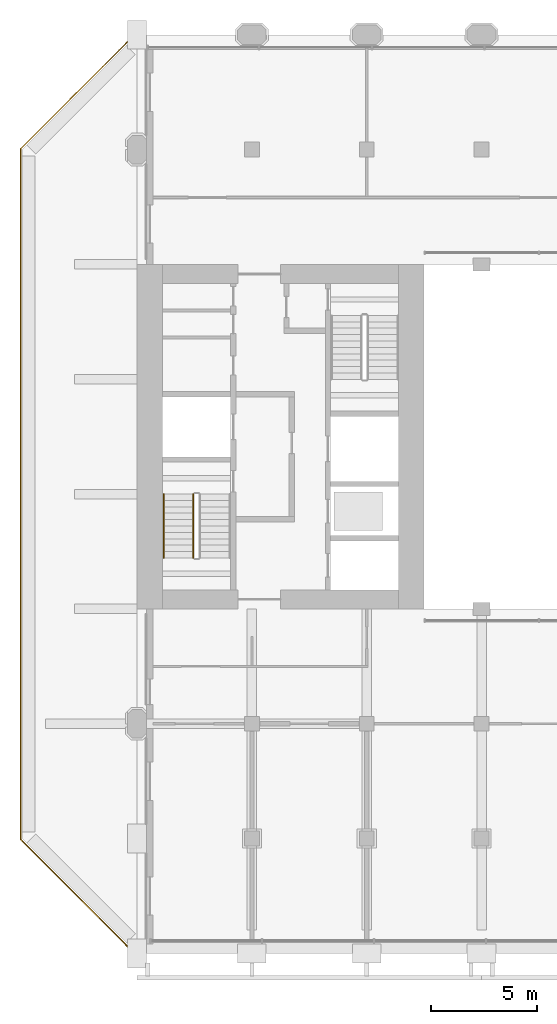
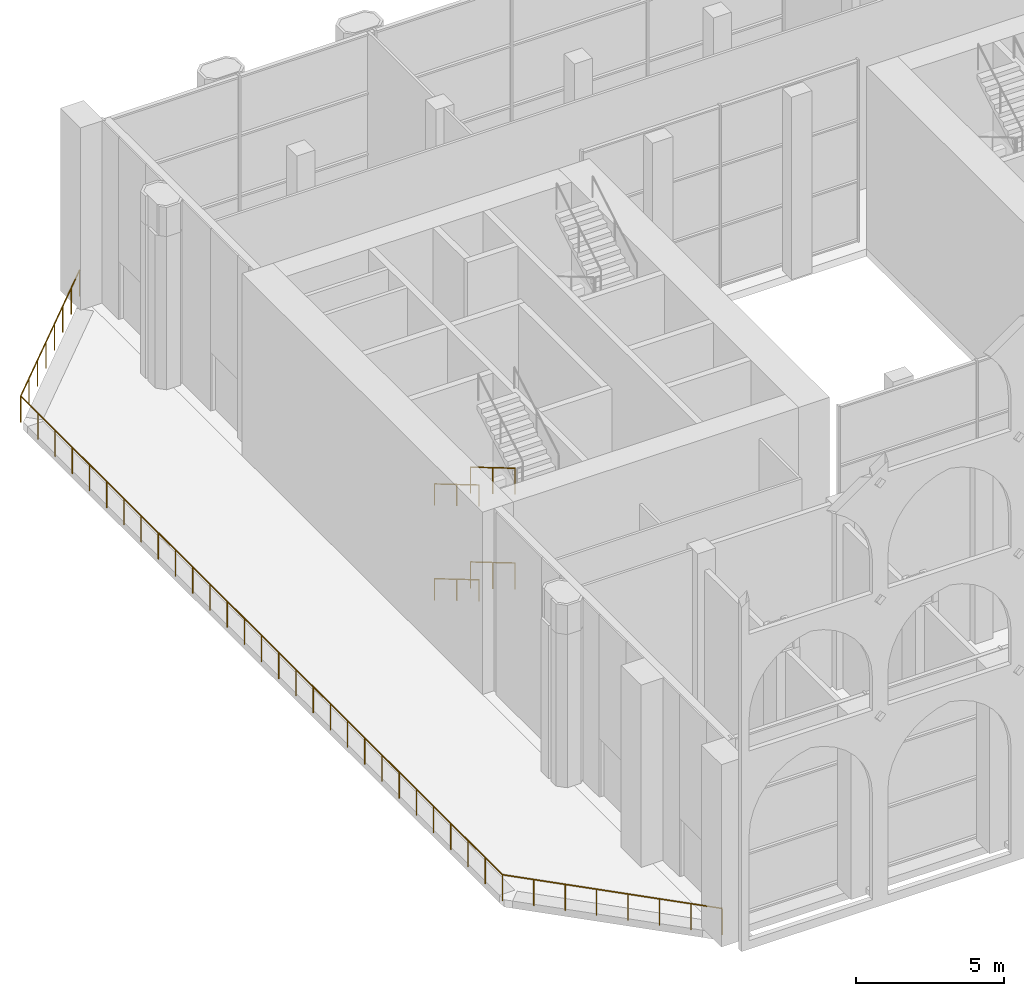
# One storey, part 15 of 20: 5 railings.
"""IFC4 building model written with IfcOpenShell, lengths in metres."""

import ifcopenshell
import ifcopenshell.guid

model = None  # the IFC model being written
_history = None  # IfcOwnerHistory: only IFC2X3 demands one
_inside = {}  # id of a spatial element -> (the spatial element, [elements in it])
_under = {}  # id of a project, library or spatial element -> (it, [spatial elements below it])
_declared = {}  # id of a project -> (the project, [libraries it declares])
_typed = {}  # id of a type object -> (the type object, [elements of that type])
_made_of = {}  # id of a material, layer set ... -> (it, [elements and type objects made of it])


def new_model(schema):
    """Start an empty IFC model of exactly this schema.

    Asked for "IFC4X3", IfcOpenShell would pick the latest addendum, in which some entities
    have other attributes; the version numbers below select the first issue.
    IFC2X3 requires an IfcOwnerHistory on every rooted entity: one is made here for all.
    """
    global model, _history
    if schema == "IFC4X3":
        model = ifcopenshell.file(schema_version=(4, 3, 0, 0))
    else:
        model = ifcopenshell.file(schema=schema)
    _inside.clear()
    _under.clear()
    _declared.clear()
    _typed.clear()
    _made_of.clear()
    _history = None
    if model.schema == "IFC2X3":
        org = make("IfcOrganization", Name="unknown")
        user = make(
            "IfcPersonAndOrganization",
            ThePerson=make("IfcPerson", FamilyName="unknown"),
            TheOrganization=org,
        )
        app = make(
            "IfcApplication",
            ApplicationDeveloper=org,
            Version="unknown",
            ApplicationFullName="unknown",
            ApplicationIdentifier="unknown",
        )
        _history = make(
            "IfcOwnerHistory",
            OwningUser=user,
            OwningApplication=app,
            ChangeAction="ADDED",
            CreationDate=0,
        )
    return model


def make(cls, **values):
    """One entity of the class cls with the attributes given. An attribute that is None is left unset."""
    return model.create_entity(
        cls, **{name: value for name, value in values.items() if value is not None}
    )


def rooted(cls, **values):
    """An entity with a GlobalId (a new one), such as an element, a storey or a relation."""
    return make(cls, GlobalId=ifcopenshell.guid.new(), OwnerHistory=_history, **values)


def si_unit(unit_type, name, prefix=None):
    """IfcSIUnit, for example si_unit("LENGTHUNIT", "METRE", prefix="MILLI")."""
    return make("IfcSIUnit", UnitType=unit_type, Prefix=prefix, Name=name)


def assignment(units):
    """IfcUnitAssignment: the units of a project."""
    return None if units is None else make("IfcUnitAssignment", Units=units)


def point(xyz):
    """IfcCartesianPoint."""
    return None if xyz is None else make("IfcCartesianPoint", Coordinates=xyz)


def direction(xyz):
    """IfcDirection."""
    return None if xyz is None else make("IfcDirection", DirectionRatios=xyz)


def frame(location, z_axis=None, x_axis=None):
    """IfcAxis2Placement3D, a coordinate frame: its origin and axes. An axis left out is left unset."""
    return make(
        "IfcAxis2Placement3D",
        Location=point(location),
        Axis=direction(z_axis),
        RefDirection=direction(x_axis),
    )


def frame_2d(location, x_axis=None):
    """IfcAxis2Placement2D, a coordinate frame in the plane: its origin and x axis."""
    return make(
        "IfcAxis2Placement2D", Location=point(location), RefDirection=direction(x_axis)
    )


def origin():
    """The frame at (0, 0, 0) with its axes left unset."""
    return frame((0.0, 0.0, 0.0))


def origin_2d():
    """The frame at (0, 0) in the plane with its x axis left unset."""
    return frame_2d((0.0, 0.0))


def place(relative_to, where):
    """IfcLocalPlacement: puts the frame where relative to a parent placement (None: the world)."""
    return make(
        "IfcLocalPlacement", PlacementRelTo=relative_to, RelativePlacement=where
    )


def context(
    kind, dimensions, precision=None, world=None, true_north=None, identifier=None
):
    """IfcGeometricRepresentationContext, for example the 3D "Model" context."""
    return make(
        "IfcGeometricRepresentationContext",
        ContextIdentifier=identifier,
        ContextType=kind,
        CoordinateSpaceDimension=dimensions,
        Precision=precision,
        WorldCoordinateSystem=world,
        TrueNorth=true_north,
    )


def subcontext(parent, identifier, kind, view, scale=None):
    """IfcGeometricRepresentationSubContext, for example "Body" below "Model"."""
    return make(
        "IfcGeometricRepresentationSubContext",
        ContextIdentifier=identifier,
        ContextType=kind,
        ParentContext=parent,
        TargetScale=scale,
        TargetView=view,
    )


def project(units=None, contexts=None):
    """IfcProject with its units and contexts."""
    return rooted(
        "IfcProject",
        Name="project",
        RepresentationContexts=contexts,
        UnitsInContext=assignment(units),
    )


def spatial(cls, under=None, at=None, **own):
    """A site, building, storey or space (cls), placed at a placement, below another one or the project."""
    s = rooted(cls, ObjectPlacement=at, **own)
    if under is not None:
        _under.setdefault(under.id(), (under, []))[1].append(s)
    return s


def profile(cls, at=None, kind="AREA", **sizes):
    """A parametric profile (cls). Its sizes go by their IFC names, for example OverallWidth=200.0."""
    return make(cls, ProfileType=kind, Position=at, **sizes)


def circle(**sizes):
    """IfcCircleProfileDef."""
    return profile("IfcCircleProfileDef", **sizes)


def extrude(swept, where, along, depth):
    """IfcExtrudedAreaSolid: the profile swept, set in the frame where, extruded along a direction by depth."""
    return make(
        "IfcExtrudedAreaSolid",
        SweptArea=swept,
        Position=where,
        ExtrudedDirection=direction(along),
        Depth=depth,
    )


def shape(context_of_items, identifier, shape_type, items):
    """IfcShapeRepresentation: the items that make up one representation, for example the "Body"."""
    return make(
        "IfcShapeRepresentation",
        ContextOfItems=context_of_items,
        RepresentationIdentifier=identifier,
        RepresentationType=shape_type,
        Items=items,
    )


def material(Name=None, Category=None):
    """IfcMaterial."""
    return make("IfcMaterial", Name=Name, Category=Category)


def made_of(thing, what):
    """Note that an element or type object is made of a material, layer set ...; save() writes the relation."""
    if what is not None:
        _made_of.setdefault(what.id(), (what, []))[1].append(thing)
    return thing


def type_object(cls, material=None, **own):
    """A type object (cls), such as IfcWallType, which elements share."""
    return made_of(rooted(cls, **own), material)


def element(
    cls,
    number,
    at=None,
    inside=None,
    cuts=None,
    type_object=None,
    material=None,
    context=None,
    identifier="Body",
    shape_type=None,
    held_by="IfcProductDefinitionShape",
    body=None,
    shapes=None,
    **own,
):
    """One element of the class cls, such as IfcWall. Its Tag is "e" and its number.

    at: its placement. inside: the storey or other place that contains it. cuts: it is an
    opening in that element (IfcRelVoidsElement). A single representation is given by context,
    identifier, shape_type and body (its items); several are given by shapes. held_by: the class
    of the entity that holds the representations. save() writes the other relations.
    """
    e = rooted(cls, Tag="e%d" % number, ObjectPlacement=at, **own)
    if body is not None:
        shapes = [shape(context, identifier, shape_type, body)]
    if shapes is not None:
        e.Representation = make(held_by, Representations=shapes)
    if inside is not None:
        _inside.setdefault(inside.id(), (inside, []))[1].append(e)
    if cuts is not None:
        rooted(
            "IfcRelVoidsElement", RelatingBuildingElement=cuts, RelatedOpeningElement=e
        )
    if type_object is not None:
        _typed.setdefault(type_object.id(), (type_object, []))[1].append(e)
    return made_of(e, material)


def aggregate(whole, parts):
    """IfcRelAggregates: a whole, such as a stair, and the parts it consists of."""
    return rooted("IfcRelAggregates", RelatingObject=whole, RelatedObjects=parts)


def save(model, path):
    """Write the relations noted so far, then the file.

    IfcRelAggregates (storeys below a building ...), IfcRelContainedInSpatialStructure (elements
    in a storey), IfcRelDefinesByType, IfcRelAssociatesMaterial and IfcRelDeclares: one each for
    every whole, place, type object, material and project.
    """
    for whole, parts in _under.values():
        aggregate(whole, parts)
    for where, things in _inside.values():
        rooted(
            "IfcRelContainedInSpatialStructure",
            RelatedElements=things,
            RelatingStructure=where,
        )
    for kind, things in _typed.values():
        rooted("IfcRelDefinesByType", RelatedObjects=things, RelatingType=kind)
    for what, things in _made_of.values():
        rooted("IfcRelAssociatesMaterial", RelatedObjects=things, RelatingMaterial=what)
    for by, libraries in _declared.values():
        rooted("IfcRelDeclares", RelatingContext=by, RelatedDefinitions=libraries)
    model.write(path)


model = new_model("IFC4")

# Units and contexts
model_context = context("Model", 3, precision=1e-05, world=origin(), true_north=direction((0.0, 1.0)))
body_context = subcontext(model_context, "Body", "Model", "MODEL_VIEW")
ifc_project = project(units=[si_unit("LENGTHUNIT", "METRE"), si_unit("AREAUNIT", "SQUARE_METRE"), si_unit("VOLUMEUNIT", "CUBIC_METRE"), si_unit("PLANEANGLEUNIT", "RADIAN"), si_unit("MASSUNIT", "GRAM", prefix="KILO")], contexts=[model_context])

# Site, building, storey
site_placement = place(None, origin())
site = spatial("IfcSite", under=ifc_project, at=site_placement, CompositionType="ELEMENT")
building_placement = place(site_placement, origin())
building = spatial("IfcBuilding", under=site, at=building_placement, Name="Tabaq Tower and Sports Hall", CompositionType="ELEMENT")
storey_placement = place(building_placement, frame((0.0, 0.0, 243.10009765625)))
storey = spatial("IfcBuildingStorey", under=building, at=storey_placement, Name="L60", CompositionType="ELEMENT", Elevation=243.10009765625)

# Railings
ifc_material_1 = material(Name="Stainless steel S316 and laminated glass", Category="steel")
railing_type_1 = type_object("IfcRailingType", Name="Guard 1100 steel and glass", PredefinedType="GUARDRAIL", material=ifc_material_1)
railing_placement = place(storey_placement, frame((5.343505859375, -0.056640625, 0.0)))
element("IfcRailing", 1, at=railing_placement, inside=storey, type_object=railing_type_1, Name="Terrace guard L60", PredefinedType="GUARDRAIL", context=body_context, shape_type="SweptSolid", body=[
    extrude(circle(Radius=0.02490234375, at=origin_2d()), frame((0.0, 0.0, 1.0751953125), z_axis=(-0.707106781187, 0.707106781187, 0.0), x_axis=(-0.707106781187, -0.707106781187, 0.0)), (0.0, 0.0, 1.0), 7.670166015625),
    extrude(circle(Radius=0.02490234375, at=origin_2d()), frame((-5.423583984375, 5.423583984375, 1.0751953125), z_axis=(0.0, 1.0, 0.0), x_axis=(-1.0, 0.0, 0.0)), (0.0, 0.0, 1.0), 32.46630859375),
    extrude(circle(Radius=0.02490234375, at=origin_2d()), frame((-5.423583984375, 37.889892578125, 1.0751953125), z_axis=(0.707122696441, 0.707090865574, 0.0), x_axis=(-0.707090865574, 0.707122696441, 0.0)), (0.0, 0.0, 1.0), 7.669921875),
    extrude(circle(Radius=0.02001953125, at=origin_2d()), origin(), (0.0, 0.0, 1.0), 1.050048828125),
    extrude(circle(Radius=0.02001953125, at=origin_2d()), frame((-0.77490234375, 0.77490234375, 0.0)), (0.0, 0.0, 1.0), 1.050048828125),
    extrude(circle(Radius=0.02001953125, at=origin_2d()), frame((-1.549560546875, 1.549560546875, 0.0)), (0.0, 0.0, 1.0), 1.050048828125),
    extrude(circle(Radius=0.02001953125, at=origin_2d()), frame((-2.324462890625, 2.324462890625, 0.0)), (0.0, 0.0, 1.0), 1.050048828125),
    extrude(circle(Radius=0.02001953125, at=origin_2d()), frame((-3.09912109375, 3.09912109375, 0.0)), (0.0, 0.0, 1.0), 1.050048828125),
    extrude(circle(Radius=0.02001953125, at=origin_2d()), frame((-3.8740234375, 3.8740234375, 0.0)), (0.0, 0.0, 1.0), 1.050048828125),
    extrude(circle(Radius=0.02001953125, at=origin_2d()), frame((-4.648681640625, 4.648681640625, 0.0)), (0.0, 0.0, 1.0), 1.050048828125),
    extrude(circle(Radius=0.02001953125, at=origin_2d()), frame((-5.423583984375, 5.423583984375, 0.0)), (0.0, 0.0, 1.0), 1.050048828125),
    extrude(circle(Radius=0.02001953125, at=origin_2d()), frame((-5.423583984375, 6.5830078125, 0.0)), (0.0, 0.0, 1.0), 1.050048828125),
    extrude(circle(Radius=0.02001953125, at=origin_2d()), frame((-5.423583984375, 7.74267578125, 0.0)), (0.0, 0.0, 1.0), 1.050048828125),
    extrude(circle(Radius=0.02001953125, at=origin_2d()), frame((-5.423583984375, 8.902099609375, 0.0)), (0.0, 0.0, 1.0), 1.050048828125),
    extrude(circle(Radius=0.02001953125, at=origin_2d()), frame((-5.423583984375, 10.0615234375, 0.0)), (0.0, 0.0, 1.0), 1.050048828125),
    extrude(circle(Radius=0.02001953125, at=origin_2d()), frame((-5.423583984375, 11.22119140625, 0.0)), (0.0, 0.0, 1.0), 1.050048828125),
    extrude(circle(Radius=0.02001953125, at=origin_2d()), frame((-5.423583984375, 12.380615234375, 0.0)), (0.0, 0.0, 1.0), 1.050048828125),
    extrude(circle(Radius=0.02001953125, at=origin_2d()), frame((-5.423583984375, 13.5400390625, 0.0)), (0.0, 0.0, 1.0), 1.050048828125),
    extrude(circle(Radius=0.02001953125, at=origin_2d()), frame((-5.423583984375, 14.69970703125, 0.0)), (0.0, 0.0, 1.0), 1.050048828125),
    extrude(circle(Radius=0.02001953125, at=origin_2d()), frame((-5.423583984375, 15.859130859375, 0.0)), (0.0, 0.0, 1.0), 1.050048828125),
    extrude(circle(Radius=0.02001953125, at=origin_2d()), frame((-5.423583984375, 17.018798828125, 0.0)), (0.0, 0.0, 1.0), 1.050048828125),
    extrude(circle(Radius=0.02001953125, at=origin_2d()), frame((-5.423583984375, 18.17822265625, 0.0)), (0.0, 0.0, 1.0), 1.050048828125),
    extrude(circle(Radius=0.02001953125, at=origin_2d()), frame((-5.423583984375, 19.337646484375, 0.0)), (0.0, 0.0, 1.0), 1.050048828125),
    extrude(circle(Radius=0.02001953125, at=origin_2d()), frame((-5.423583984375, 20.497314453125, 0.0)), (0.0, 0.0, 1.0), 1.050048828125),
    extrude(circle(Radius=0.02001953125, at=origin_2d()), frame((-5.423583984375, 21.65673828125, 0.0)), (0.0, 0.0, 1.0), 1.050048828125),
    extrude(circle(Radius=0.02001953125, at=origin_2d()), frame((-5.423583984375, 22.816162109375, 0.0)), (0.0, 0.0, 1.0), 1.050048828125),
    extrude(circle(Radius=0.02001953125, at=origin_2d()), frame((-5.423583984375, 23.975830078125, 0.0)), (0.0, 0.0, 1.0), 1.050048828125),
    extrude(circle(Radius=0.02001953125, at=origin_2d()), frame((-5.423583984375, 25.13525390625, 0.0)), (0.0, 0.0, 1.0), 1.050048828125),
    extrude(circle(Radius=0.02001953125, at=origin_2d()), frame((-5.423583984375, 26.294677734375, 0.0)), (0.0, 0.0, 1.0), 1.050048828125),
    extrude(circle(Radius=0.02001953125, at=origin_2d()), frame((-5.423583984375, 27.454345703125, 0.0)), (0.0, 0.0, 1.0), 1.050048828125),
    extrude(circle(Radius=0.02001953125, at=origin_2d()), frame((-5.423583984375, 28.61376953125, 0.0)), (0.0, 0.0, 1.0), 1.050048828125),
    extrude(circle(Radius=0.02001953125, at=origin_2d()), frame((-5.423583984375, 29.7734375, 0.0)), (0.0, 0.0, 1.0), 1.050048828125),
    extrude(circle(Radius=0.02001953125, at=origin_2d()), frame((-5.423583984375, 30.932861328125, 0.0)), (0.0, 0.0, 1.0), 1.050048828125),
    extrude(circle(Radius=0.02001953125, at=origin_2d()), frame((-5.423583984375, 32.09228515625, 0.0)), (0.0, 0.0, 1.0), 1.050048828125),
    extrude(circle(Radius=0.02001953125, at=origin_2d()), frame((-5.423583984375, 33.251953125, 0.0)), (0.0, 0.0, 1.0), 1.050048828125),
    extrude(circle(Radius=0.02001953125, at=origin_2d()), frame((-5.423583984375, 34.411376953125, 0.0)), (0.0, 0.0, 1.0), 1.050048828125),
    extrude(circle(Radius=0.02001953125, at=origin_2d()), frame((-5.423583984375, 35.57080078125, 0.0)), (0.0, 0.0, 1.0), 1.050048828125),
    extrude(circle(Radius=0.02001953125, at=origin_2d()), frame((-5.423583984375, 36.73046875, 0.0)), (0.0, 0.0, 1.0), 1.050048828125),
    extrude(circle(Radius=0.02001953125, at=origin_2d()), frame((-5.423583984375, 37.889892578125, 0.0)), (0.0, 0.0, 1.0), 1.050048828125),
    extrude(circle(Radius=0.02001953125, at=origin_2d()), frame((-4.648681640625, 38.66455078125, 0.0)), (0.0, 0.0, 1.0), 1.050048828125),
    extrude(circle(Radius=0.02001953125, at=origin_2d()), frame((-3.8740234375, 39.439453125, 0.0)), (0.0, 0.0, 1.0), 1.050048828125),
    extrude(circle(Radius=0.02001953125, at=origin_2d()), frame((-3.09912109375, 40.214111328125, 0.0)), (0.0, 0.0, 1.0), 1.050048828125),
    extrude(circle(Radius=0.02001953125, at=origin_2d()), frame((-2.324462890625, 40.989013671875, 0.0)), (0.0, 0.0, 1.0), 1.050048828125),
    extrude(circle(Radius=0.02001953125, at=origin_2d()), frame((-1.549560546875, 41.763671875, 0.0)), (0.0, 0.0, 1.0), 1.050048828125),
    extrude(circle(Radius=0.02001953125, at=origin_2d()), frame((-0.77490234375, 42.53857421875, 0.0)), (0.0, 0.0, 1.0), 1.050048828125),
    extrude(circle(Radius=0.02001953125, at=origin_2d()), frame((0.0, 43.313232421875, 0.0)), (0.0, 0.0, 1.0), 1.050048828125),
])
ifc_material_2 = material(Name="Stainless steel", Category="steel")
railing_type_2 = type_object("IfcRailingType", Name="Stair guard", PredefinedType="GUARDRAIL", material=ifc_material_2)
for number, where, name in (
    (2, (8.050048828125, 21.60009765625, 0.17724609375), "L60 ST1 stair guard 1"),
    (3, (8.050048828125, 21.60009765625, 4.0771484375), "L60 ST1 stair guard 5"),
):
    element("IfcRailing", number, at=place(storey_placement, frame(where)), inside=storey, type_object=railing_type_2, Name=name, PredefinedType="GUARDRAIL", context=body_context, shape_type="SweptSolid", body=[
        extrude(circle(Radius=0.02392578125, at=origin_2d()), frame((0.0, 0.0, 1.076171875), z_axis=(0.0, -0.86092931783, 0.508724591208), x_axis=(1.0, 0.0, 0.0)), (0.0, 0.0, 1.0), 3.484619140625),
        extrude(circle(Radius=0.02099609375, at=origin_2d()), origin(), (0.0, 0.0, 1.0), 1.052001953125),
        extrude(circle(Radius=0.02099609375, at=origin_2d()), frame((0.0, -1.5, 0.88623046875)), (0.0, 0.0, 1.0), 1.052001953125),
        extrude(circle(Radius=0.02099609375, at=origin_2d()), frame((0.0, -3.0, 1.772705078125)), (0.0, 0.0, 1.0), 1.052001953125),
    ])
ifc_material_3 = material(Name="Stainless steel", Category="steel")
railing_type_3 = type_object("IfcRailingType", Name="Stair handrail", PredefinedType="HANDRAIL", material=ifc_material_3)
for number, where, name in (
    (4, (6.64990234375, 21.60009765625, 0.17724609375), "L60 ST1 stair handrail 1"),
    (5, (6.64990234375, 21.60009765625, 4.0771484375), "L60 ST1 stair handrail 3"),
):
    element("IfcRailing", number, at=place(storey_placement, frame(where)), inside=storey, type_object=railing_type_3, Name=name, PredefinedType="HANDRAIL", context=body_context, shape_type="SweptSolid", body=[
        extrude(circle(Radius=0.02392578125, at=origin_2d()), frame((0.0, 0.0, 0.8759765625), z_axis=(0.0, -0.86092931783, 0.508724591208), x_axis=(1.0, 0.0, 0.0)), (0.0, 0.0, 1.0), 3.484619140625),
        extrude(circle(Radius=0.02099609375, at=origin_2d()), origin(), (0.0, 0.0, 1.0), 0.851806640625),
        extrude(circle(Radius=0.02099609375, at=origin_2d()), frame((0.0, -1.5, 0.88623046875)), (0.0, 0.0, 1.0), 0.851806640625),
        extrude(circle(Radius=0.02099609375, at=origin_2d()), frame((0.0, -3.0, 1.772705078125)), (0.0, 0.0, 1.0), 0.851806640625),
    ])

save(model, "model.ifc")
